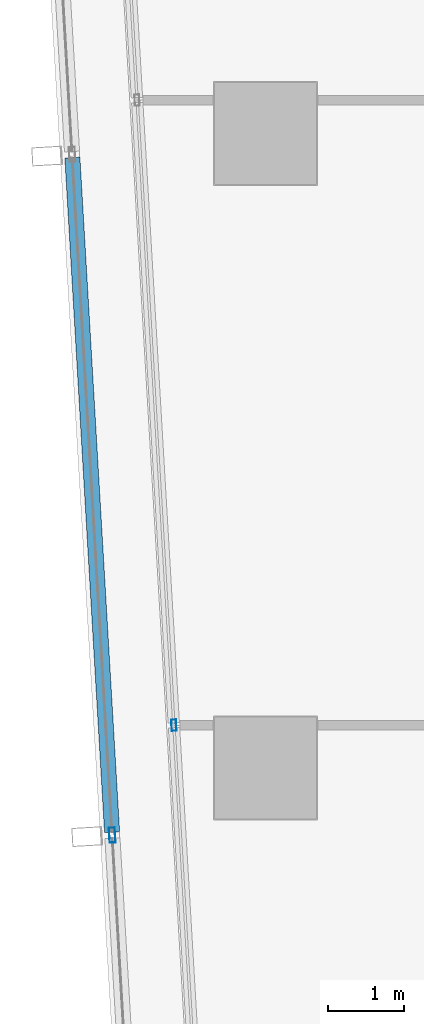
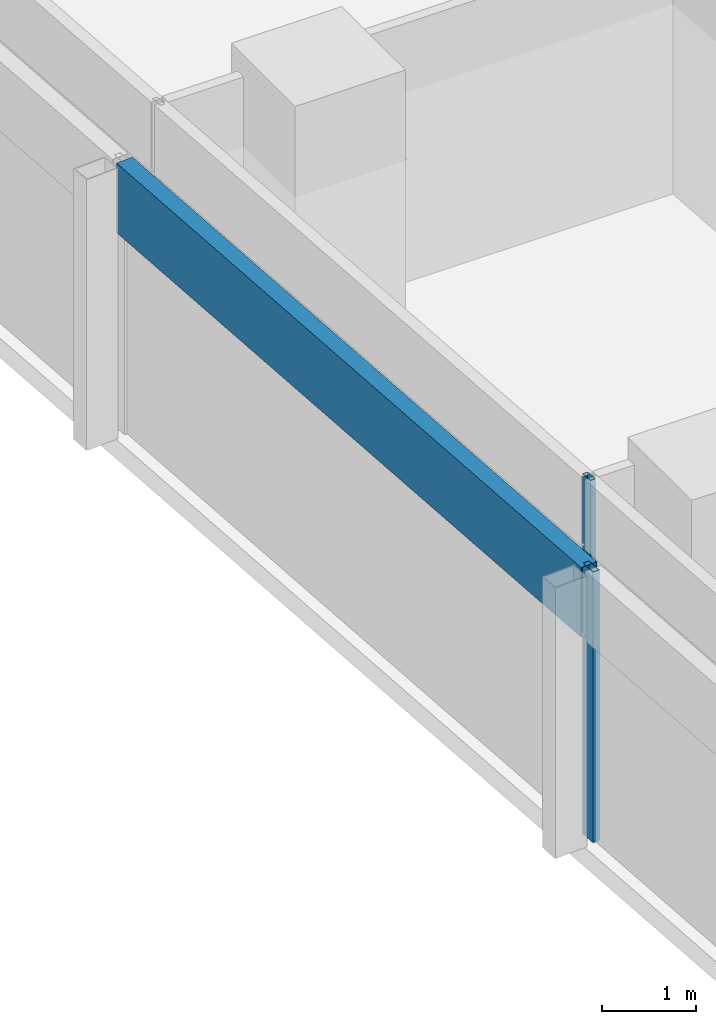
# One storey, part 5 of 39: 3 members, 2 elements without a shape of their own.
"""IFC4 building model written with IfcOpenShell, lengths in metres."""

import ifcopenshell
import ifcopenshell.guid

model = None  # the IFC model being written
_history = None  # IfcOwnerHistory: only IFC2X3 demands one
_inside = {}  # id of a spatial element -> (the spatial element, [elements in it])
_under = {}  # id of a project, library or spatial element -> (it, [spatial elements below it])
_declared = {}  # id of a project -> (the project, [libraries it declares])
_typed = {}  # id of a type object -> (the type object, [elements of that type])
_made_of = {}  # id of a material, layer set ... -> (it, [elements and type objects made of it])


def new_model(schema):
    """Start an empty IFC model of exactly this schema.

    Asked for "IFC4X3", IfcOpenShell would pick the latest addendum, in which some entities
    have other attributes; the version numbers below select the first issue.
    IFC2X3 requires an IfcOwnerHistory on every rooted entity: one is made here for all.
    """
    global model, _history
    if schema == "IFC4X3":
        model = ifcopenshell.file(schema_version=(4, 3, 0, 0))
    else:
        model = ifcopenshell.file(schema=schema)
    _inside.clear()
    _under.clear()
    _declared.clear()
    _typed.clear()
    _made_of.clear()
    _history = None
    if model.schema == "IFC2X3":
        org = make("IfcOrganization", Name="unknown")
        user = make(
            "IfcPersonAndOrganization",
            ThePerson=make("IfcPerson", FamilyName="unknown"),
            TheOrganization=org,
        )
        app = make(
            "IfcApplication",
            ApplicationDeveloper=org,
            Version="unknown",
            ApplicationFullName="unknown",
            ApplicationIdentifier="unknown",
        )
        _history = make(
            "IfcOwnerHistory",
            OwningUser=user,
            OwningApplication=app,
            ChangeAction="ADDED",
            CreationDate=0,
        )
    return model


def make(cls, **values):
    """One entity of the class cls with the attributes given. An attribute that is None is left unset."""
    return model.create_entity(
        cls, **{name: value for name, value in values.items() if value is not None}
    )


def rooted(cls, **values):
    """An entity with a GlobalId (a new one), such as an element, a storey or a relation."""
    return make(cls, GlobalId=ifcopenshell.guid.new(), OwnerHistory=_history, **values)


def si_unit(unit_type, name, prefix=None):
    """IfcSIUnit, for example si_unit("LENGTHUNIT", "METRE", prefix="MILLI")."""
    return make("IfcSIUnit", UnitType=unit_type, Prefix=prefix, Name=name)


def assignment(units):
    """IfcUnitAssignment: the units of a project."""
    return None if units is None else make("IfcUnitAssignment", Units=units)


def point(xyz):
    """IfcCartesianPoint."""
    return None if xyz is None else make("IfcCartesianPoint", Coordinates=xyz)


def direction(xyz):
    """IfcDirection."""
    return None if xyz is None else make("IfcDirection", DirectionRatios=xyz)


def frame(location, z_axis=None, x_axis=None):
    """IfcAxis2Placement3D, a coordinate frame: its origin and axes. An axis left out is left unset."""
    return make(
        "IfcAxis2Placement3D",
        Location=point(location),
        Axis=direction(z_axis),
        RefDirection=direction(x_axis),
    )


def frame_2d(location, x_axis=None):
    """IfcAxis2Placement2D, a coordinate frame in the plane: its origin and x axis."""
    return make(
        "IfcAxis2Placement2D", Location=point(location), RefDirection=direction(x_axis)
    )


def origin():
    """The frame at (0, 0, 0) with its axes left unset."""
    return frame((0.0, 0.0, 0.0))


def origin_2d():
    """The frame at (0, 0) in the plane with its x axis left unset."""
    return frame_2d((0.0, 0.0))


def place(relative_to, where):
    """IfcLocalPlacement: puts the frame where relative to a parent placement (None: the world)."""
    return make(
        "IfcLocalPlacement", PlacementRelTo=relative_to, RelativePlacement=where
    )


def context(
    kind, dimensions, precision=None, world=None, true_north=None, identifier=None
):
    """IfcGeometricRepresentationContext, for example the 3D "Model" context."""
    return make(
        "IfcGeometricRepresentationContext",
        ContextIdentifier=identifier,
        ContextType=kind,
        CoordinateSpaceDimension=dimensions,
        Precision=precision,
        WorldCoordinateSystem=world,
        TrueNorth=true_north,
    )


def subcontext(parent, identifier, kind, view, scale=None):
    """IfcGeometricRepresentationSubContext, for example "Body" below "Model"."""
    return make(
        "IfcGeometricRepresentationSubContext",
        ContextIdentifier=identifier,
        ContextType=kind,
        ParentContext=parent,
        TargetScale=scale,
        TargetView=view,
    )


def project(units=None, contexts=None):
    """IfcProject with its units and contexts."""
    return rooted(
        "IfcProject",
        Name="project",
        RepresentationContexts=contexts,
        UnitsInContext=assignment(units),
    )


def spatial(cls, under=None, at=None, **own):
    """A site, building, storey or space (cls), placed at a placement, below another one or the project."""
    s = rooted(cls, ObjectPlacement=at, **own)
    if under is not None:
        _under.setdefault(under.id(), (under, []))[1].append(s)
    return s


def profile(cls, at=None, kind="AREA", **sizes):
    """A parametric profile (cls). Its sizes go by their IFC names, for example OverallWidth=200.0."""
    return make(cls, ProfileType=kind, Position=at, **sizes)


def hollow_rectangle(**sizes):
    """IfcRectangleHollowProfileDef."""
    return profile("IfcRectangleHollowProfileDef", **sizes)


def extrude(swept, where, along, depth):
    """IfcExtrudedAreaSolid: the profile swept, set in the frame where, extruded along a direction by depth."""
    return make(
        "IfcExtrudedAreaSolid",
        SweptArea=swept,
        Position=where,
        ExtrudedDirection=direction(along),
        Depth=depth,
    )


def shape(context_of_items, identifier, shape_type, items):
    """IfcShapeRepresentation: the items that make up one representation, for example the "Body"."""
    return make(
        "IfcShapeRepresentation",
        ContextOfItems=context_of_items,
        RepresentationIdentifier=identifier,
        RepresentationType=shape_type,
        Items=items,
    )


def material(Name=None, Category=None):
    """IfcMaterial."""
    return make("IfcMaterial", Name=Name, Category=Category)


def material_profile(
    of_material, cross_section, Name=None, Category=None, Priority=None
):
    """IfcMaterialProfile: a cross section and its material."""
    return make(
        "IfcMaterialProfile",
        Name=Name,
        Material=of_material,
        Profile=cross_section,
        Priority=Priority,
        Category=Category,
    )


def profile_set(profiles, Name=None, composite=None):
    """IfcMaterialProfileSet."""
    return make(
        "IfcMaterialProfileSet",
        Name=Name,
        MaterialProfiles=profiles,
        CompositeProfile=composite,
    )


def made_of(thing, what):
    """Note that an element or type object is made of a material, layer set ...; save() writes the relation."""
    if what is not None:
        _made_of.setdefault(what.id(), (what, []))[1].append(thing)
    return thing


def type_object(cls, material=None, **own):
    """A type object (cls), such as IfcWallType, which elements share."""
    return made_of(rooted(cls, **own), material)


def element(
    cls,
    number,
    at=None,
    inside=None,
    cuts=None,
    type_object=None,
    material=None,
    context=None,
    identifier="Body",
    shape_type=None,
    held_by="IfcProductDefinitionShape",
    body=None,
    shapes=None,
    **own,
):
    """One element of the class cls, such as IfcWall. Its Tag is "e" and its number.

    at: its placement. inside: the storey or other place that contains it. cuts: it is an
    opening in that element (IfcRelVoidsElement). A single representation is given by context,
    identifier, shape_type and body (its items); several are given by shapes. held_by: the class
    of the entity that holds the representations. save() writes the other relations.
    """
    e = rooted(cls, Tag="e%d" % number, ObjectPlacement=at, **own)
    if body is not None:
        shapes = [shape(context, identifier, shape_type, body)]
    if shapes is not None:
        e.Representation = make(held_by, Representations=shapes)
    if inside is not None:
        _inside.setdefault(inside.id(), (inside, []))[1].append(e)
    if cuts is not None:
        rooted(
            "IfcRelVoidsElement", RelatingBuildingElement=cuts, RelatedOpeningElement=e
        )
    if type_object is not None:
        _typed.setdefault(type_object.id(), (type_object, []))[1].append(e)
    return made_of(e, material)


def aggregate(whole, parts):
    """IfcRelAggregates: a whole, such as a stair, and the parts it consists of."""
    return rooted("IfcRelAggregates", RelatingObject=whole, RelatedObjects=parts)


def save(model, path):
    """Write the relations noted so far, then the file.

    IfcRelAggregates (storeys below a building ...), IfcRelContainedInSpatialStructure (elements
    in a storey), IfcRelDefinesByType, IfcRelAssociatesMaterial and IfcRelDeclares: one each for
    every whole, place, type object, material and project.
    """
    for whole, parts in _under.values():
        aggregate(whole, parts)
    for where, things in _inside.values():
        rooted(
            "IfcRelContainedInSpatialStructure",
            RelatedElements=things,
            RelatingStructure=where,
        )
    for kind, things in _typed.values():
        rooted("IfcRelDefinesByType", RelatedObjects=things, RelatingType=kind)
    for what, things in _made_of.values():
        rooted("IfcRelAssociatesMaterial", RelatedObjects=things, RelatingMaterial=what)
    for by, libraries in _declared.values():
        rooted("IfcRelDeclares", RelatingContext=by, RelatedDefinitions=libraries)
    model.write(path)


model = new_model("IFC4")

# Units and contexts
model_context = context("Model", 3, precision=1e-05, world=origin(), true_north=direction((0.0, 1.0)))
body_context = subcontext(model_context, "Body", "Model", "MODEL_VIEW")
ifc_project = project(units=[si_unit("LENGTHUNIT", "METRE"), si_unit("AREAUNIT", "SQUARE_METRE"), si_unit("VOLUMEUNIT", "CUBIC_METRE"), si_unit("PLANEANGLEUNIT", "RADIAN"), si_unit("MASSUNIT", "GRAM", prefix="KILO")], contexts=[model_context])

# Site, building, storey
site_placement = place(None, origin())
site = spatial("IfcSite", under=ifc_project, at=site_placement, CompositionType="ELEMENT")
building_placement = place(site_placement, origin())
building = spatial("IfcBuilding", under=site, at=building_placement, Name="Rekha Terrace Tower", CompositionType="ELEMENT")
storey_placement = place(building_placement, frame((0.0, 0.0, 217.699951171875)))
storey = spatial("IfcBuildingStorey", under=building, at=storey_placement, Name="L55", CompositionType="ELEMENT", Elevation=217.699951171875)

# Curtain wall, member
ifc_material_1 = material(Name="Aluminium framing", Category="aluminium")
curtain_wall_type_1 = type_object("IfcCurtainWallType", Name="CW1 double skin inner glazing", PredefinedType="USERDEFINED", material=ifc_material_1)
curtain_wall_1_placement = place(storey_placement, origin())
curtain_wall_1 = element("IfcCurtainWall", 1, at=curtain_wall_1_placement, inside=storey, type_object=curtain_wall_type_1, Name="CW1 double skin inner glazing", ObjectType="DOUBLE SKIN INNER GLAZING", PredefinedType="USERDEFINED")
ifc_material_2 = material(Name="Aluminium mullion section", Category="aluminium")
ifc_material_profile_1 = material_profile(ifc_material_2, hollow_rectangle(XDim=0.06494140625, YDim=0.14990234375, WallThickness=0.00390625, at=origin_2d()), Name="AL RHS 65x150")
ifc_profile_set_1 = profile_set([ifc_material_profile_1], Name="Aluminium mullion section")
member_type_1 = type_object("IfcMemberType", Name="CW1 mullion RHS 65 x 150", PredefinedType="MULLION", material=ifc_profile_set_1)
member_1_placement = place(storey_placement, frame((7.18701171875, 25.76611328125, 0.0), z_axis=(0.0, 0.0, 1.0), x_axis=(0.998271839269, 0.058765082516, 0.0)))
member_1 = element("IfcMember", 2, at=member_1_placement, type_object=member_type_1, Name="CW1 mullion 3", PredefinedType="MULLION", context=body_context, shape_type="SweptSolid", body=[
    extrude(hollow_rectangle(XDim=0.06494140625, YDim=0.14990234375, WallThickness=0.00390625, at=origin_2d()), origin(), (0.0, 0.0, 1.0), 3.5),
])
aggregate(curtain_wall_1, [member_1])

# Curtain wall, members
curtain_wall_type_2 = type_object("IfcCurtainWallType", Name="CW2 double skin outer glazing", PredefinedType="USERDEFINED", material=ifc_material_1)
curtain_wall_2_placement = place(storey_placement, origin())
curtain_wall_2 = element("IfcCurtainWall", 3, at=curtain_wall_2_placement, inside=storey, type_object=curtain_wall_type_2, Name="CW2 double skin outer glazing", ObjectType="DOUBLE SKIN OUTER GLAZING", PredefinedType="USERDEFINED")
ifc_material_profile_2 = material_profile(ifc_material_2, hollow_rectangle(XDim=0.080078125, YDim=0.199951171875, WallThickness=0.00390625, at=origin_2d()), Name="AL RHS 80x200")
ifc_profile_set_2 = profile_set([ifc_material_profile_2], Name="Aluminium mullion section")
member_type_2 = type_object("IfcMemberType", Name="CW2 mullion RHS 80 x 200", PredefinedType="MULLION", material=ifc_profile_set_2)
member_2_placement = place(storey_placement, frame((6.370849609375, 24.31201171875, 0.0), z_axis=(0.0, 0.0, 1.0), x_axis=(0.99827183927, 0.058765082499, 0.0)))
member_2 = element("IfcMember", 4, at=member_2_placement, type_object=member_type_2, Name="CW2 mullion 3", PredefinedType="MULLION", context=body_context, shape_type="SweptSolid", body=[
    extrude(hollow_rectangle(XDim=0.080078125, YDim=0.199951171875, WallThickness=0.00390625, at=origin_2d()), origin(), (0.0, 0.0, 1.0), 3.5),
])
ifc_material_3 = material(Name="Insulated aluminium spandrel box", Category="aluminium")
ifc_material_profile_3 = material_profile(ifc_material_3, hollow_rectangle(XDim=0.199951171875, YDim=0.89990234375, WallThickness=0.0029296875, at=origin_2d()), Name="AL SPANDREL BOX 200x900")
ifc_profile_set_3 = profile_set([ifc_material_profile_3], Name="Insulated aluminium spandrel box")
member_type_3 = type_object("IfcMemberType", Name="CW2 spandrel transom 200 x 900", PredefinedType="USERDEFINED", material=ifc_profile_set_3)
member_3_placement = place(storey_placement, frame((5.843017578125, 33.27978515625, 3.050048828125), z_axis=(0.058773229711, -0.998271359636, 0.0), x_axis=(0.998271359636, 0.058773229711, 0.0)))
member_3 = element("IfcMember", 5, at=member_3_placement, type_object=member_type_3, Name="CW2 spandrel transom 2", ObjectType="TRANSOM", PredefinedType="USERDEFINED", context=body_context, shape_type="SweptSolid", body=[
    extrude(hollow_rectangle(XDim=0.199951171875, YDim=0.89990234375, WallThickness=0.0029296875, at=origin_2d()), origin(), (0.0, 0.0, 1.0), 8.943359375),
])
aggregate(curtain_wall_2, [member_2, member_3])

save(model, "model.ifc")
